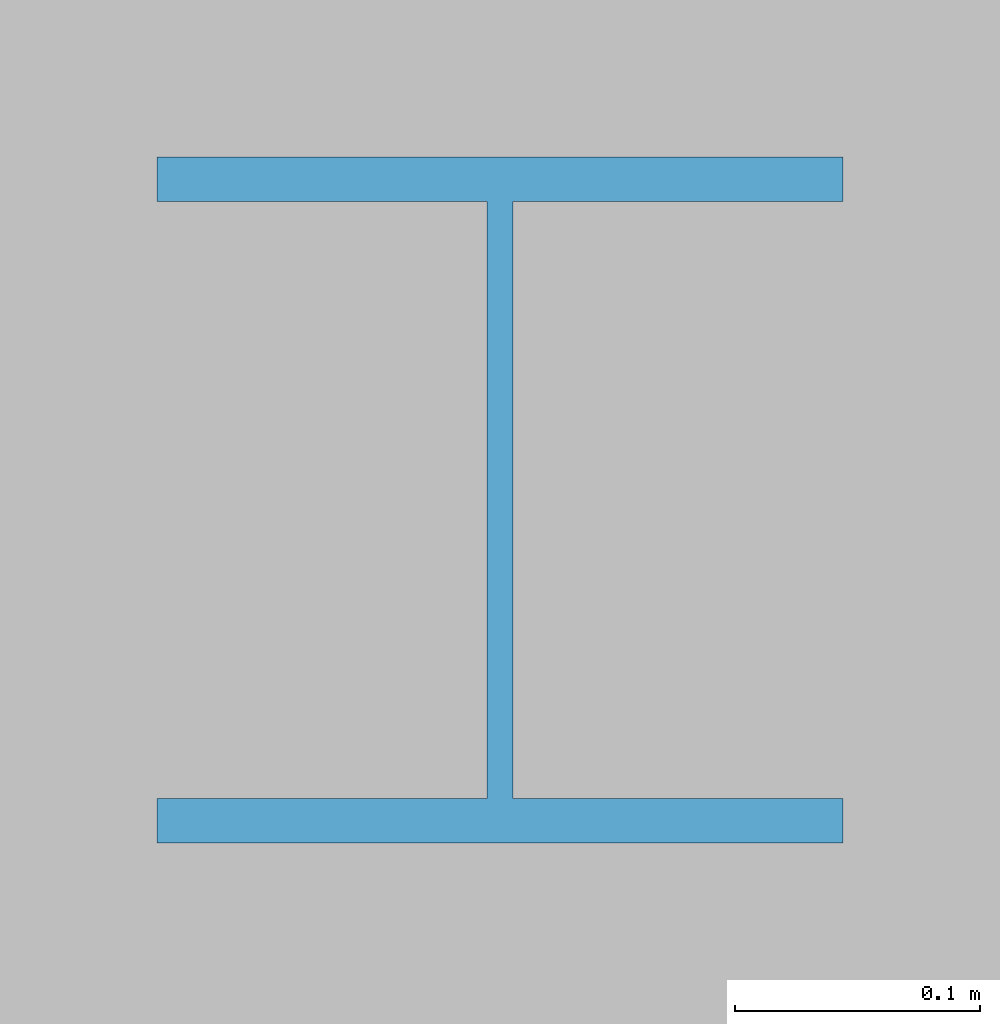
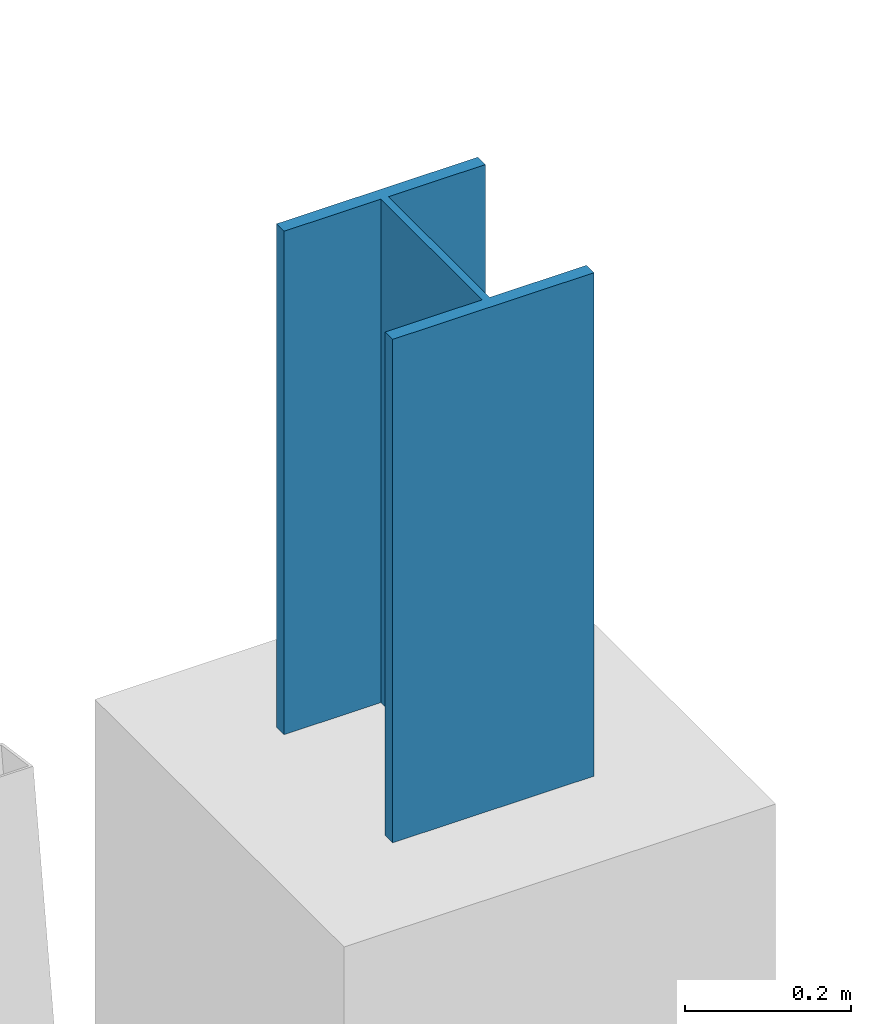
# One storey, part 13 of 108: 1 column.
"""IFC4 building model written with IfcOpenShell, lengths in metres."""

from ifc_helpers import new_model, si_unit, direction, frame, origin, origin_2d, place, context, subcontext, project, spatial, i_section, extrude, material, material_profile, profile_set, type_object, element, save


model = new_model("IFC4")

# Units and contexts
model_context = context("Model", 3, precision=1e-05, world=origin(), true_north=direction((0.0, 1.0)))
body_context = subcontext(model_context, "Body", "Model", "MODEL_VIEW")
ifc_project = project(units=[si_unit("LENGTHUNIT", "METRE"), si_unit("AREAUNIT", "SQUARE_METRE"), si_unit("VOLUMEUNIT", "CUBIC_METRE"), si_unit("PLANEANGLEUNIT", "RADIAN"), si_unit("MASSUNIT", "GRAM", prefix="KILO")], contexts=[model_context])

# Site, building, storey
site_placement = place(None, origin())
site = spatial("IfcSite", under=ifc_project, at=site_placement, CompositionType="ELEMENT")
building_placement = place(site_placement, origin())
building = spatial("IfcBuilding", under=site, at=building_placement, Name="Lykobir Media Centre", CompositionType="ELEMENT")
storey_placement = place(building_placement, frame((0.0, 0.0, 15.0)))
storey = spatial("IfcBuildingStorey", under=building, at=storey_placement, Name="L03", CompositionType="ELEMENT", Elevation=15.0)

# Column
ifc_material = material(Name="Steel S355", Category="steel")
ifc_material_profile = material_profile(ifc_material, i_section(OverallWidth=0.280029296875, OverallDepth=0.280029296875, WebThickness=0.010498046875, FlangeThickness=0.01806640625, at=origin_2d()), Name="HEB 280")
ifc_profile_set = profile_set([ifc_material_profile], Name="Steel S355")
column_type = type_object("IfcColumnType", Name="SC-HEB280-E", PredefinedType="COLUMN", material=ifc_profile_set)
column_placement = place(storey_placement, frame((81.0, 63.0, 4.199951171875), z_axis=(0.0, 0.0, 1.0), x_axis=(1.0, 0.0, 0.0)))
element("IfcColumn", 1, at=column_placement, inside=storey, type_object=column_type, Name="V6 roof portal post 81-63", PredefinedType="COLUMN", context=body_context, shape_type="SweptSolid", body=[
    extrude(i_section(OverallWidth=0.280029296875, OverallDepth=0.280029296875, WebThickness=0.010498046875, FlangeThickness=0.01806640625, at=origin_2d()), origin(), (0.0, 0.0, 1.0), 0.739990234375),
])

save(model, "model.ifc")
